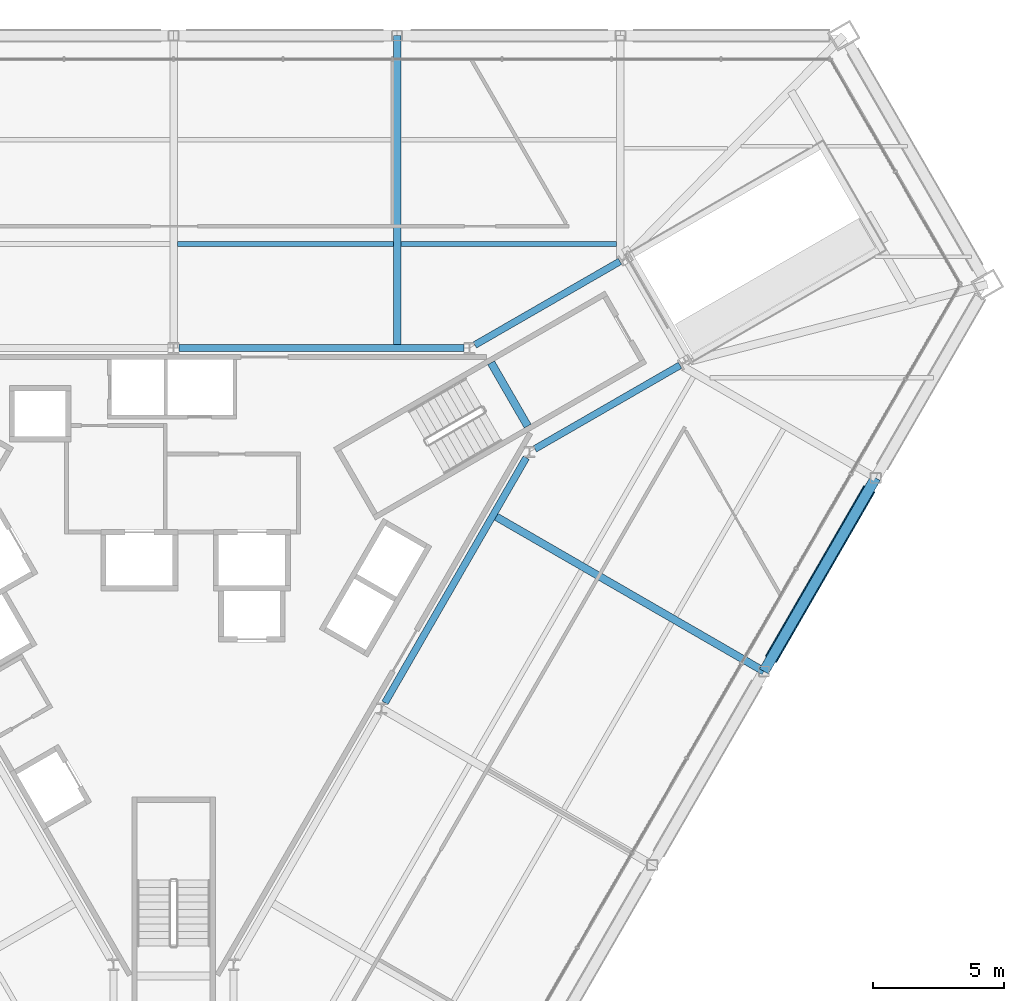
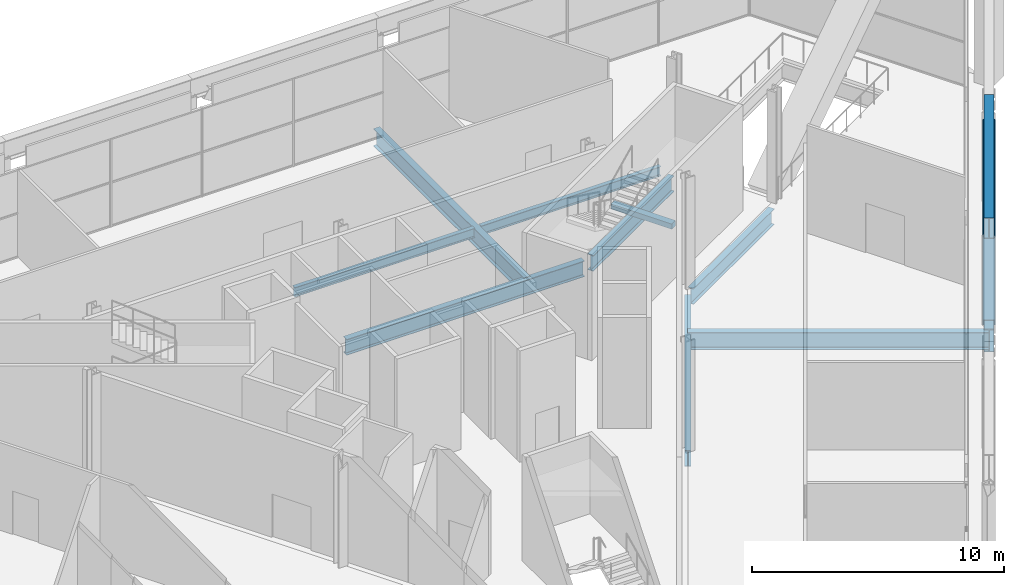
# One storey, part 8 of 20: 9 beams, 3 members.
"""IFC4 building model written with IfcOpenShell, lengths in metres."""

import ifcopenshell
import ifcopenshell.guid

model = None  # the IFC model being written
_history = None  # IfcOwnerHistory: only IFC2X3 demands one
_inside = {}  # id of a spatial element -> (the spatial element, [elements in it])
_under = {}  # id of a project, library or spatial element -> (it, [spatial elements below it])
_declared = {}  # id of a project -> (the project, [libraries it declares])
_typed = {}  # id of a type object -> (the type object, [elements of that type])
_made_of = {}  # id of a material, layer set ... -> (it, [elements and type objects made of it])


def new_model(schema):
    """Start an empty IFC model of exactly this schema.

    Asked for "IFC4X3", IfcOpenShell would pick the latest addendum, in which some entities
    have other attributes; the version numbers below select the first issue.
    IFC2X3 requires an IfcOwnerHistory on every rooted entity: one is made here for all.
    """
    global model, _history
    if schema == "IFC4X3":
        model = ifcopenshell.file(schema_version=(4, 3, 0, 0))
    else:
        model = ifcopenshell.file(schema=schema)
    _inside.clear()
    _under.clear()
    _declared.clear()
    _typed.clear()
    _made_of.clear()
    _history = None
    if model.schema == "IFC2X3":
        org = make("IfcOrganization", Name="unknown")
        user = make(
            "IfcPersonAndOrganization",
            ThePerson=make("IfcPerson", FamilyName="unknown"),
            TheOrganization=org,
        )
        app = make(
            "IfcApplication",
            ApplicationDeveloper=org,
            Version="unknown",
            ApplicationFullName="unknown",
            ApplicationIdentifier="unknown",
        )
        _history = make(
            "IfcOwnerHistory",
            OwningUser=user,
            OwningApplication=app,
            ChangeAction="ADDED",
            CreationDate=0,
        )
    return model


def make(cls, **values):
    """One entity of the class cls with the attributes given. An attribute that is None is left unset."""
    return model.create_entity(
        cls, **{name: value for name, value in values.items() if value is not None}
    )


def rooted(cls, **values):
    """An entity with a GlobalId (a new one), such as an element, a storey or a relation."""
    return make(cls, GlobalId=ifcopenshell.guid.new(), OwnerHistory=_history, **values)


def si_unit(unit_type, name, prefix=None):
    """IfcSIUnit, for example si_unit("LENGTHUNIT", "METRE", prefix="MILLI")."""
    return make("IfcSIUnit", UnitType=unit_type, Prefix=prefix, Name=name)


def assignment(units):
    """IfcUnitAssignment: the units of a project."""
    return None if units is None else make("IfcUnitAssignment", Units=units)


def point(xyz):
    """IfcCartesianPoint."""
    return None if xyz is None else make("IfcCartesianPoint", Coordinates=xyz)


def direction(xyz):
    """IfcDirection."""
    return None if xyz is None else make("IfcDirection", DirectionRatios=xyz)


def frame(location, z_axis=None, x_axis=None):
    """IfcAxis2Placement3D, a coordinate frame: its origin and axes. An axis left out is left unset."""
    return make(
        "IfcAxis2Placement3D",
        Location=point(location),
        Axis=direction(z_axis),
        RefDirection=direction(x_axis),
    )


def frame_2d(location, x_axis=None):
    """IfcAxis2Placement2D, a coordinate frame in the plane: its origin and x axis."""
    return make(
        "IfcAxis2Placement2D", Location=point(location), RefDirection=direction(x_axis)
    )


def origin():
    """The frame at (0, 0, 0) with its axes left unset."""
    return frame((0.0, 0.0, 0.0))


def origin_2d():
    """The frame at (0, 0) in the plane with its x axis left unset."""
    return frame_2d((0.0, 0.0))


def place(relative_to, where):
    """IfcLocalPlacement: puts the frame where relative to a parent placement (None: the world)."""
    return make(
        "IfcLocalPlacement", PlacementRelTo=relative_to, RelativePlacement=where
    )


def context(
    kind, dimensions, precision=None, world=None, true_north=None, identifier=None
):
    """IfcGeometricRepresentationContext, for example the 3D "Model" context."""
    return make(
        "IfcGeometricRepresentationContext",
        ContextIdentifier=identifier,
        ContextType=kind,
        CoordinateSpaceDimension=dimensions,
        Precision=precision,
        WorldCoordinateSystem=world,
        TrueNorth=true_north,
    )


def subcontext(parent, identifier, kind, view, scale=None):
    """IfcGeometricRepresentationSubContext, for example "Body" below "Model"."""
    return make(
        "IfcGeometricRepresentationSubContext",
        ContextIdentifier=identifier,
        ContextType=kind,
        ParentContext=parent,
        TargetScale=scale,
        TargetView=view,
    )


def project(units=None, contexts=None):
    """IfcProject with its units and contexts."""
    return rooted(
        "IfcProject",
        Name="project",
        RepresentationContexts=contexts,
        UnitsInContext=assignment(units),
    )


def spatial(cls, under=None, at=None, **own):
    """A site, building, storey or space (cls), placed at a placement, below another one or the project."""
    s = rooted(cls, ObjectPlacement=at, **own)
    if under is not None:
        _under.setdefault(under.id(), (under, []))[1].append(s)
    return s


def profile(cls, at=None, kind="AREA", **sizes):
    """A parametric profile (cls). Its sizes go by their IFC names, for example OverallWidth=200.0."""
    return make(cls, ProfileType=kind, Position=at, **sizes)


def rectangle(**sizes):
    """IfcRectangleProfileDef."""
    return profile("IfcRectangleProfileDef", **sizes)


def hollow_rectangle(**sizes):
    """IfcRectangleHollowProfileDef."""
    return profile("IfcRectangleHollowProfileDef", **sizes)


def i_section(**sizes):
    """IfcIShapeProfileDef."""
    return profile("IfcIShapeProfileDef", **sizes)


def extrude(swept, where, along, depth):
    """IfcExtrudedAreaSolid: the profile swept, set in the frame where, extruded along a direction by depth."""
    return make(
        "IfcExtrudedAreaSolid",
        SweptArea=swept,
        Position=where,
        ExtrudedDirection=direction(along),
        Depth=depth,
    )


def shape(context_of_items, identifier, shape_type, items):
    """IfcShapeRepresentation: the items that make up one representation, for example the "Body"."""
    return make(
        "IfcShapeRepresentation",
        ContextOfItems=context_of_items,
        RepresentationIdentifier=identifier,
        RepresentationType=shape_type,
        Items=items,
    )


def material(Name=None, Category=None):
    """IfcMaterial."""
    return make("IfcMaterial", Name=Name, Category=Category)


def material_profile(
    of_material, cross_section, Name=None, Category=None, Priority=None
):
    """IfcMaterialProfile: a cross section and its material."""
    return make(
        "IfcMaterialProfile",
        Name=Name,
        Material=of_material,
        Profile=cross_section,
        Priority=Priority,
        Category=Category,
    )


def profile_set(profiles, Name=None, composite=None):
    """IfcMaterialProfileSet."""
    return make(
        "IfcMaterialProfileSet",
        Name=Name,
        MaterialProfiles=profiles,
        CompositeProfile=composite,
    )


def made_of(thing, what):
    """Note that an element or type object is made of a material, layer set ...; save() writes the relation."""
    if what is not None:
        _made_of.setdefault(what.id(), (what, []))[1].append(thing)
    return thing


def type_object(cls, material=None, **own):
    """A type object (cls), such as IfcWallType, which elements share."""
    return made_of(rooted(cls, **own), material)


def element(
    cls,
    number,
    at=None,
    inside=None,
    cuts=None,
    type_object=None,
    material=None,
    context=None,
    identifier="Body",
    shape_type=None,
    held_by="IfcProductDefinitionShape",
    body=None,
    shapes=None,
    **own,
):
    """One element of the class cls, such as IfcWall. Its Tag is "e" and its number.

    at: its placement. inside: the storey or other place that contains it. cuts: it is an
    opening in that element (IfcRelVoidsElement). A single representation is given by context,
    identifier, shape_type and body (its items); several are given by shapes. held_by: the class
    of the entity that holds the representations. save() writes the other relations.
    """
    e = rooted(cls, Tag="e%d" % number, ObjectPlacement=at, **own)
    if body is not None:
        shapes = [shape(context, identifier, shape_type, body)]
    if shapes is not None:
        e.Representation = make(held_by, Representations=shapes)
    if inside is not None:
        _inside.setdefault(inside.id(), (inside, []))[1].append(e)
    if cuts is not None:
        rooted(
            "IfcRelVoidsElement", RelatingBuildingElement=cuts, RelatedOpeningElement=e
        )
    if type_object is not None:
        _typed.setdefault(type_object.id(), (type_object, []))[1].append(e)
    return made_of(e, material)


def aggregate(whole, parts):
    """IfcRelAggregates: a whole, such as a stair, and the parts it consists of."""
    return rooted("IfcRelAggregates", RelatingObject=whole, RelatedObjects=parts)


def save(model, path):
    """Write the relations noted so far, then the file.

    IfcRelAggregates (storeys below a building ...), IfcRelContainedInSpatialStructure (elements
    in a storey), IfcRelDefinesByType, IfcRelAssociatesMaterial and IfcRelDeclares: one each for
    every whole, place, type object, material and project.
    """
    for whole, parts in _under.values():
        aggregate(whole, parts)
    for where, things in _inside.values():
        rooted(
            "IfcRelContainedInSpatialStructure",
            RelatedElements=things,
            RelatingStructure=where,
        )
    for kind, things in _typed.values():
        rooted("IfcRelDefinesByType", RelatedObjects=things, RelatingType=kind)
    for what, things in _made_of.values():
        rooted("IfcRelAssociatesMaterial", RelatedObjects=things, RelatingMaterial=what)
    for by, libraries in _declared.values():
        rooted("IfcRelDeclares", RelatingContext=by, RelatedDefinitions=libraries)
    model.write(path)


model = new_model("IFC4")

# Units and contexts
model_context = context("Model", 3, precision=1e-05, world=origin(), true_north=direction((0.0, 1.0)))
body_context = subcontext(model_context, "Body", "Model", "MODEL_VIEW")
ifc_project = project(units=[si_unit("LENGTHUNIT", "METRE"), si_unit("AREAUNIT", "SQUARE_METRE"), si_unit("VOLUMEUNIT", "CUBIC_METRE"), si_unit("PLANEANGLEUNIT", "RADIAN"), si_unit("MASSUNIT", "GRAM", prefix="KILO")], contexts=[model_context])

# Site, building, storey
site_placement = place(None, origin())
site = spatial("IfcSite", under=ifc_project, at=site_placement, CompositionType="ELEMENT")
building_placement = place(site_placement, origin())
building = spatial("IfcBuilding", under=site, at=building_placement, Name="Verrane Prism Tower", CompositionType="ELEMENT")
storey_placement = place(building_placement, frame((0.0, 0.0, 12.0)))
storey = spatial("IfcBuildingStorey", under=building, at=storey_placement, Name="L01", CompositionType="ELEMENT", Elevation=12.0)

# Beams
ifc_material_1 = material(Name="Steel A992", Category="steel")
ifc_material_profile_1 = material_profile(ifc_material_1, i_section(OverallWidth=0.2666015625, OverallDepth=0.76708984375, WebThickness=0.014892578125, FlangeThickness=0.023681640625, FilletRadius=0.0166015625, at=origin_2d()), Name="W30x124")
ifc_profile_set_1 = profile_set([ifc_material_profile_1], Name="Steel A992")
beam_type_1 = type_object("IfcBeamType", Name="Core ring girder W30x124", PredefinedType="BEAM", material=ifc_profile_set_1)
for number, where, z_axis, x_axis, name in (
    (1, (13.835693359375, 5.338623046875, -0.633544921875), (0.866455356291, 0.499254559873, 0.0), (-0.499254559873, 0.866455356291, 0.0), "Core ring girder L01"),
    (2, (17.09423828125, 12.521484375, -0.633544921875), (-0.866455356291, -0.499254559873, 0.0), (0.499254559873, -0.866455356291, 0.0), "Core ring girder L01"),
):
    element("IfcBeam", number, at=place(storey_placement, frame(where, z_axis=z_axis, x_axis=x_axis)), inside=storey, type_object=beam_type_1, Name=name, PredefinedType="BEAM", context=body_context, shape_type="SweptSolid", body=[
        extrude(i_section(OverallWidth=0.2666015625, OverallDepth=0.76708984375, WebThickness=0.014892578125, FlangeThickness=0.023681640625, FilletRadius=0.0166015625, at=origin_2d()), origin(), (0.0, 0.0, 1.0), 6.415283203125),
    ])
beam_1_placement = place(storey_placement, frame((11.124267578125, 9.199951171875, -0.633544921875), z_axis=(-1.0, 0.0, 0.0), x_axis=(0.0, -1.0, 0.0)))
element("IfcBeam", 3, at=beam_1_placement, inside=storey, type_object=beam_type_1, Name="Core ring girder L01", PredefinedType="BEAM", context=body_context, shape_type="SweptSolid", body=[
    extrude(i_section(OverallWidth=0.2666015625, OverallDepth=0.76708984375, WebThickness=0.014892578125, FlangeThickness=0.023681640625, FilletRadius=0.0166015625, at=origin_2d()), origin(), (0.0, 0.0, 1.0), 10.91845703125),
])
beam_2_placement = place(storey_placement, frame((8.09521484375, -4.3828125, -0.633544921875), z_axis=(0.499373178085, 0.866386997253, 0.0), x_axis=(-0.866386997253, 0.499373178085, 0.0)))
element("IfcBeam", 4, at=beam_2_placement, inside=storey, type_object=beam_type_1, Name="Core ring girder L01", PredefinedType="BEAM", context=body_context, shape_type="SweptSolid", body=[
    extrude(i_section(OverallWidth=0.2666015625, OverallDepth=0.76708984375, WebThickness=0.014892578125, FlangeThickness=0.023681640625, FilletRadius=0.0166015625, at=origin_2d()), origin(), (0.0, 0.0, 1.0), 10.8330078125),
])
ifc_material_2 = material(Name="Steel A992", Category="steel")
ifc_material_profile_2 = material_profile(ifc_material_2, i_section(OverallWidth=0.1904296875, OverallDepth=0.457275390625, WebThickness=0.009033203125, FlangeThickness=0.014404296875, FilletRadius=0.01025390625, at=origin_2d()), Name="W18x50")
ifc_profile_set_2 = profile_set([ifc_material_profile_2], Name="Steel A992")
beam_type_2 = type_object("IfcBeamType", Name="Floor beam W18x50", PredefinedType="BEAM", material=ifc_profile_set_2)
beam_3_placement = place(storey_placement, frame((8.7060546875, 13.18994140625, -0.388671875), z_axis=(1.0, 0.0, 0.0), x_axis=(0.0, 1.0, 0.0)))
element("IfcBeam", 5, at=beam_3_placement, inside=storey, type_object=beam_type_2, Name="Floor beam L01", PredefinedType="BEAM", context=body_context, shape_type="SweptSolid", body=[
    extrude(i_section(OverallWidth=0.1904296875, OverallDepth=0.457275390625, WebThickness=0.009033203125, FlangeThickness=0.014404296875, FilletRadius=0.01025390625, at=origin_2d()), origin(), (0.0, 0.0, 1.0), 8.258056640625),
])
beam_4_placement = place(storey_placement, frame((0.14599609375, 13.18994140625, -0.388671875), z_axis=(1.0, 0.0, 0.0), x_axis=(0.0, 1.0, 0.0)))
element("IfcBeam", 6, at=beam_4_placement, inside=storey, type_object=beam_type_2, Name="Floor beam L01", PredefinedType="BEAM", context=body_context, shape_type="SweptSolid", body=[
    extrude(i_section(OverallWidth=0.1904296875, OverallDepth=0.457275390625, WebThickness=0.009033203125, FlangeThickness=0.014404296875, FilletRadius=0.01025390625, at=origin_2d()), origin(), (0.0, 0.0, 1.0), 8.26806640625),
])
ifc_material_3 = material(Name="Steel A992", Category="steel")
ifc_material_profile_3 = material_profile(ifc_material_3, i_section(OverallWidth=0.2919921875, OverallDepth=0.845703125, WebThickness=0.015380859375, FlangeThickness=0.0244140625, FilletRadius=0.017822265625, at=origin_2d()), Name="W33x141")
ifc_profile_set_3 = profile_set([ifc_material_profile_3], Name="Steel A992")
beam_type_3 = type_object("IfcBeamType", Name="Radial girder W33x141", PredefinedType="BEAM", material=ifc_profile_set_3)
beam_5_placement = place(storey_placement, frame((8.56005859375, 21.169921875, -0.642822265625), z_axis=(0.0, -1.0, 0.0), x_axis=(1.0, 0.0, 0.0)))
element("IfcBeam", 7, at=beam_5_placement, inside=storey, type_object=beam_type_3, Name="Radial girder L01", PredefinedType="BEAM", context=body_context, shape_type="SweptSolid", body=[
    extrude(i_section(OverallWidth=0.2919921875, OverallDepth=0.845703125, WebThickness=0.015380859375, FlangeThickness=0.0244140625, FilletRadius=0.017822265625, at=origin_2d()), origin(), (0.0, 0.0, 1.0), 11.969970703125),
])
beam_6_placement = place(storey_placement, frame((22.610107421875, -3.179931640625, -0.642822265625), z_axis=(-0.866031448669, 0.499989529807, 0.0), x_axis=(-0.499989529807, -0.866031448669, 0.0)))
element("IfcBeam", 8, at=beam_6_placement, inside=storey, type_object=beam_type_3, Name="Radial girder L01", PredefinedType="BEAM", context=body_context, shape_type="SweptSolid", body=[
    extrude(i_section(OverallWidth=0.2919921875, OverallDepth=0.845703125, WebThickness=0.015380859375, FlangeThickness=0.0244140625, FilletRadius=0.017822265625, at=origin_2d()), origin(), (0.0, 0.0, 1.0), 11.974853515625),
])
ifc_material_4 = material(Name="Concrete C40/50", Category="concrete")
ifc_material_profile_4 = material_profile(ifc_material_4, rectangle(XDim=0.300048828125, YDim=0.25, at=origin_2d()), Name="RC 300x250")
ifc_profile_set_4 = profile_set([ifc_material_profile_4], Name="Concrete C40/50")
beam_type_4 = type_object("IfcBeamType", Name="Stair landing trimmer beam 300x250 concrete C40/50", PredefinedType="BEAM", material=ifc_profile_set_4)
beam_7_placement = place(storey_placement, frame((12.160400390625, 8.637451171875, 2.375), z_axis=(0.500049511043, -0.865996816683, 0.0), x_axis=(0.865996816683, 0.500049511043, 0.0)))
element("IfcBeam", 9, at=beam_7_placement, inside=storey, type_object=beam_type_4, Name="Stair 1 landing trimmer beam", PredefinedType="BEAM", context=body_context, shape_type="SweptSolid", body=[
    extrude(rectangle(XDim=0.300048828125, YDim=0.25, at=origin_2d()), origin(), (0.0, 0.0, 1.0), 2.800048828125),
])

# Members
ifc_material_5 = material(Name="Steel A992", Category="steel")
ifc_material_profile_5 = material_profile(ifc_material_5, i_section(OverallWidth=0.4013671875, OverallDepth=1.000732421875, WebThickness=0.01904296875, FlangeThickness=0.0361328125, FilletRadius=0.030029296875, at=origin_2d()), Name="W40x249")
ifc_profile_set_5 = profile_set([ifc_material_profile_5], Name="Steel A992")
member_type_1 = type_object("IfcMemberType", Name="Transfer truss chord W40x249", PredefinedType="CHORD", material=ifc_profile_set_5)
member_1_placement = place(storey_placement, frame((22.610107421875, -3.179931640625, 4.739501953125), z_axis=(0.500146398655, 0.865940863981, 0.0), x_axis=(-0.865940863981, 0.500146398655, 0.0)))
element("IfcMember", 10, at=member_1_placement, inside=storey, type_object=member_type_1, Name="Truss chord L01", PredefinedType="CHORD", context=body_context, shape_type="SweptSolid", body=[
    extrude(i_section(OverallWidth=0.4013671875, OverallDepth=1.000732421875, WebThickness=0.01904296875, FlangeThickness=0.0361328125, FilletRadius=0.030029296875, at=origin_2d()), origin(), (0.0, 0.0, 1.0), 8.55712890625),
])
ifc_material_6 = material(Name="Steel A992", Category="steel")
ifc_material_profile_6 = material_profile(ifc_material_6, i_section(OverallWidth=0.40380859375, OverallDepth=1.11767578125, WebThickness=0.026123046875, FlangeThickness=0.044921875, FilletRadius=0.02001953125, at=origin_2d()), Name="W44x335")
ifc_profile_set_6 = profile_set([ifc_material_profile_6], Name="Steel A992")
member_type_2 = type_object("IfcMemberType", Name="Transfer truss chord W44x335", PredefinedType="CHORD", material=ifc_profile_set_6)
member_2_placement = place(storey_placement, frame((22.610107421875, -3.179931640625, -0.72119140625), z_axis=(0.500146398655, 0.865940863981, 0.0), x_axis=(-0.865940863981, 0.500146398655, 0.0)))
element("IfcMember", 11, at=member_2_placement, inside=storey, type_object=member_type_2, Name="Truss chord L01", PredefinedType="CHORD", context=body_context, shape_type="SweptSolid", body=[
    extrude(i_section(OverallWidth=0.40380859375, OverallDepth=1.11767578125, WebThickness=0.026123046875, FlangeThickness=0.044921875, FilletRadius=0.02001953125, at=origin_2d()), origin(), (0.0, 0.0, 1.0), 8.55712890625),
])
ifc_material_7 = material(Name="Steel A500 Grade C", Category="steel")
ifc_material_profile_7 = material_profile(ifc_material_7, hollow_rectangle(XDim=0.508056640625, YDim=0.508056640625, WallThickness=0.01904296875, InnerFilletRadius=0.009521484375, OuterFilletRadius=0.028564453125, at=origin_2d()), Name="HSS20x20x3/4")
ifc_profile_set_7 = profile_set([ifc_material_profile_7], Name="Steel A500 Grade C")
member_type_3 = type_object("IfcMemberType", Name="Transfer truss diagonal HSS20x20x3/4", PredefinedType="BRACE", material=ifc_profile_set_7)
member_3_placement = place(storey_placement, frame((22.939453125, -2.609619140625, -0.30078125), z_axis=(0.421627743828, 0.729968451182, 0.537936897706), x_axis=(-0.865932794473, 0.500160369738, 0.0)))
element("IfcMember", 12, at=member_3_placement, inside=storey, type_object=member_type_3, Name="Truss diagonal L01", PredefinedType="BRACE", context=body_context, shape_type="SweptSolid", body=[
    extrude(hollow_rectangle(XDim=0.508056640625, YDim=0.508056640625, WallThickness=0.01904296875, InnerFilletRadius=0.009521484375, OuterFilletRadius=0.028564453125, at=origin_2d()), origin(), (0.0, 0.0, 1.0), 8.64404296875),
])

save(model, "model.ifc")
